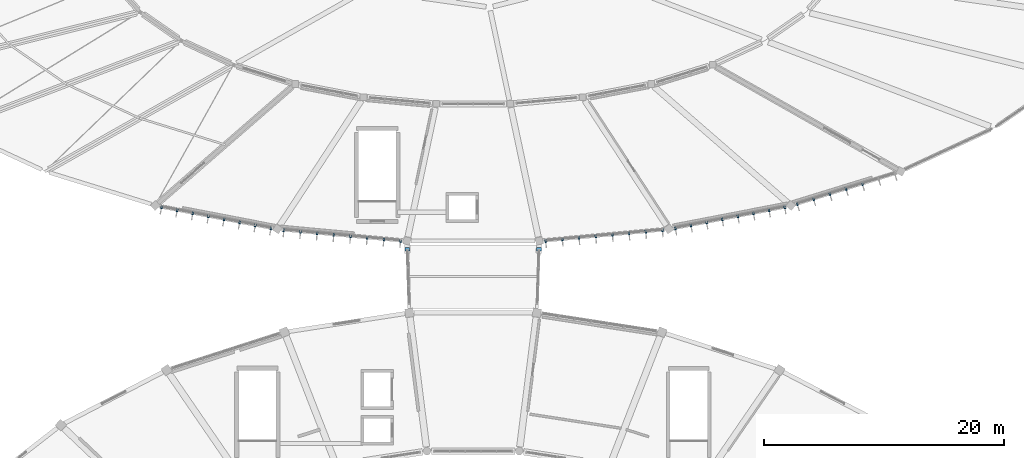
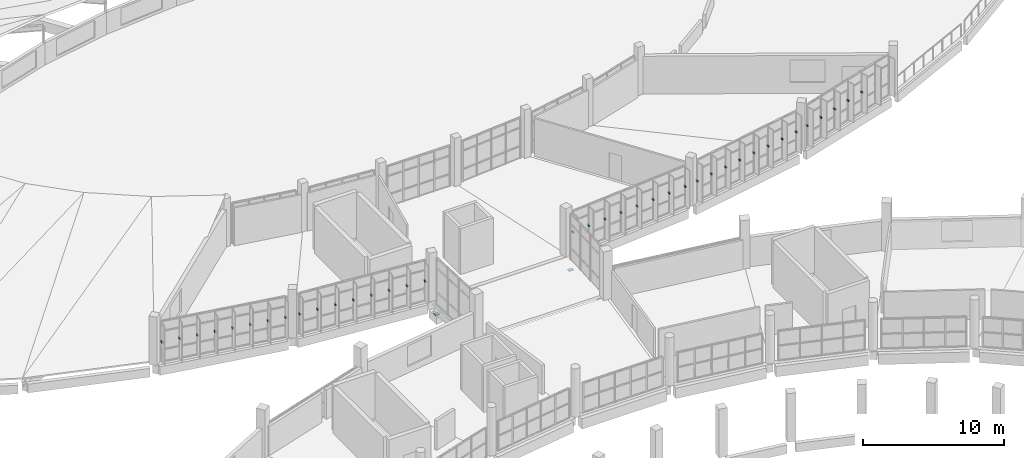
# One storey, part 113 of 142: 39 discrete accessories.
"""IFC4 building model written with IfcOpenShell, lengths in metres."""

from ifc_helpers import new_model, si_unit, direction, frame, origin, origin_2d, place, context, subcontext, project, spatial, rectangle, extrude, material, type_object, element, save


model = new_model("IFC4")

# Units and contexts
model_context = context("Model", 3, precision=1e-05, world=origin(), true_north=direction((0.0, 1.0)))
body_context = subcontext(model_context, "Body", "Model", "MODEL_VIEW")
ifc_project = project(units=[si_unit("LENGTHUNIT", "METRE"), si_unit("AREAUNIT", "SQUARE_METRE"), si_unit("VOLUMEUNIT", "CUBIC_METRE"), si_unit("PLANEANGLEUNIT", "RADIAN"), si_unit("MASSUNIT", "GRAM", prefix="KILO")], contexts=[model_context])

# Site, building, storey
site_placement = place(None, origin())
site = spatial("IfcSite", under=ifc_project, at=site_placement, CompositionType="ELEMENT")
building_placement = place(site_placement, origin())
building = spatial("IfcBuilding", under=site, at=building_placement, Name="Corvandel Quay Wholesale Market", CompositionType="ELEMENT")
storey_placement = place(building_placement, frame((0.0, 0.0, 10.800048828125)))
storey = spatial("IfcBuildingStorey", under=building, at=storey_placement, Name="L02", CompositionType="ELEMENT", Elevation=10.800048828125)

# Discrete accessories
ifc_material_1 = material(Name="Austenitic stainless steel Grade 316", Category="steel")
discrete_accessory_type_1 = type_object("IfcDiscreteAccessoryType", Name="Stainless Solar Fin Fixing Bracket BRK01", PredefinedType="USERDEFINED", material=ifc_material_1)
for number, where, z_axis, x_axis, name in (
    (1, (87.992919921875, 92.798095703125, 1.68017578125), (0.0, 0.0, 1.0), (0.188924055984, 0.981991701121, 0.0), "Fin Bracket 0482"),
    (2, (89.29736328125, 92.547119140625, 1.68017578125), (0.0, 0.0, 1.0), (0.188924055984, 0.981991701121, 0.0), "Fin Bracket 0483"),
    (3, (90.601806640625, 92.29638671875, 1.68017578125), (0.0, 0.0, 1.0), (0.188924055984, 0.981991701121, 0.0), "Fin Bracket 0484"),
    (4, (91.906005859375, 92.04541015625, 1.68017578125), (0.0, 0.0, 1.0), (0.188924055984, 0.981991701121, 0.0), "Fin Bracket 0485"),
    (5, (93.210205078125, 91.794677734375, 1.68017578125), (0.0, 0.0, 1.0), (0.188924055984, 0.981991701121, 0.0), "Fin Bracket 0486"),
    (6, (94.5146484375, 91.543701171875, 1.68017578125), (0.0, 0.0, 1.0), (0.188924055984, 0.981991701121, 0.0), "Fin Bracket 0487"),
    (7, (95.819091796875, 91.29296875, 1.68017578125), (0.0, 0.0, 1.0), (0.188924055984, 0.981991701121, 0.0), "Fin Bracket 0488"),
    (8, (97.123291015625, 91.0419921875, 1.68017578125), (0.0, 0.0, 1.0), (0.188924055984, 0.981991701121, 0.0), "Fin Bracket 0489"),
    (9, (98.197265625, 90.8896484375, 1.68017578125), (0.0, 0.0, 1.0), (0.092023008338, 0.995756880939, 0.0), "Fin Bracket 0500"),
    (10, (99.589111328125, 90.760986328125, 1.68017578125), (0.0, 0.0, 1.0), (0.092023008338, 0.995756880939, 0.0), "Fin Bracket 0501"),
    (11, (100.981201171875, 90.632568359375, 1.68017578125), (0.0, 0.0, 1.0), (0.092023008338, 0.995756880939, 0.0), "Fin Bracket 0502"),
    (12, (102.373046875, 90.50390625, 1.68017578125), (0.0, 0.0, 1.0), (0.092023008338, 0.995756880939, 0.0), "Fin Bracket 0503"),
    (13, (103.764892578125, 90.37548828125, 1.68017578125), (0.0, 0.0, 1.0), (0.092023008338, 0.995756880939, 0.0), "Fin Bracket 0504"),
    (14, (105.156982421875, 90.2470703125, 1.68017578125), (0.0, 0.0, 1.0), (0.092023008338, 0.995756880939, 0.0), "Fin Bracket 0505"),
    (15, (106.548828125, 90.118408203125, 1.68017578125), (0.0, 0.0, 1.0), (0.092023008338, 0.995756880939, 0.0), "Fin Bracket 0506"),
    (16, (107.94091796875, 89.989990234375, 1.68017578125), (0.0, 0.0, 1.0), (0.092023008338, 0.995756880939, 0.0), "Fin Bracket 0507"),
    (17, (120.05908203125, 89.989990234375, 1.68017578125), (0.0, 0.0, 1.0), (-0.092023008338, 0.995756880939, 0.0), "Fin Bracket 0522"),
    (18, (121.451171875, 90.118408203125, 1.68017578125), (0.0, 0.0, 1.0), (-0.092023008338, 0.995756880939, 0.0), "Fin Bracket 0523"),
    (19, (122.843017578125, 90.2470703125, 1.68017578125), (0.0, 0.0, 1.0), (-0.092023008338, 0.995756880939, 0.0), "Fin Bracket 0524"),
    (20, (124.235107421875, 90.37548828125, 1.68017578125), (0.0, 0.0, 1.0), (-0.092023008338, 0.995756880939, 0.0), "Fin Bracket 0525"),
    (21, (125.626953125, 90.50390625, 1.68017578125), (0.0, 0.0, 1.0), (-0.092023008338, 0.995756880939, 0.0), "Fin Bracket 0526"),
    (22, (127.018798828125, 90.632568359375, 1.68017578125), (0.0, 0.0, 1.0), (-0.092023008338, 0.995756880939, 0.0), "Fin Bracket 0527"),
    (23, (128.410888671875, 90.760986328125, 1.68017578125), (0.0, 0.0, 1.0), (-0.092023008338, 0.995756880939, 0.0), "Fin Bracket 0528"),
    (24, (129.802734375, 90.8896484375, 1.68017578125), (0.0, 0.0, 1.0), (-0.092023008338, 0.995756880939, 0.0), "Fin Bracket 0529"),
    (25, (130.876708984375, 91.0419921875, 1.68017578125), (0.0, 0.0, 1.0), (-0.188924055984, 0.981991701121, 0.0), "Fin Bracket 0537"),
    (26, (132.180908203125, 91.29296875, 1.68017578125), (0.0, 0.0, 1.0), (-0.188924055984, 0.981991701121, 0.0), "Fin Bracket 0538"),
    (27, (133.4853515625, 91.543701171875, 1.68017578125), (0.0, 0.0, 1.0), (-0.188924055984, 0.981991701121, 0.0), "Fin Bracket 0539"),
    (28, (134.789794921875, 91.794677734375, 1.68017578125), (0.0, 0.0, 1.0), (-0.188924055984, 0.981991701121, 0.0), "Fin Bracket 0540"),
    (29, (136.093994140625, 92.04541015625, 1.68017578125), (0.0, 0.0, 1.0), (-0.188924055984, 0.981991701121, 0.0), "Fin Bracket 0541"),
    (30, (137.398193359375, 92.29638671875, 1.68017578125), (0.0, 0.0, 1.0), (-0.188924055984, 0.981991701121, 0.0), "Fin Bracket 0542"),
    (31, (138.70263671875, 92.547119140625, 1.68017578125), (0.0, 0.0, 1.0), (-0.188924055984, 0.981991701121, 0.0), "Fin Bracket 0543"),
    (32, (140.007080078125, 92.798095703125, 1.68017578125), (0.0, 0.0, 1.0), (-0.188924055984, 0.981991701121, 0.0), "Fin Bracket 0544"),
    (33, (141.0595703125, 93.061767578125, 1.68017578125), (0.0, 0.0, 1.0), (-0.296208192067, 0.955123398809, 0.0), "Fin Bracket 0554"),
    (34, (142.416259765625, 93.482421875, 1.68017578125), (0.0, 0.0, 1.0), (-0.296208192067, 0.955123398809, 0.0), "Fin Bracket 0555"),
    (35, (143.77294921875, 93.9033203125, 1.68017578125), (0.0, 0.0, 1.0), (-0.296208192067, 0.955123398809, 0.0), "Fin Bracket 0556"),
    (36, (145.1298828125, 94.32421875, 1.68017578125), (0.0, 0.0, 1.0), (-0.296208192067, 0.955123398809, 0.0), "Fin Bracket 0557"),
    (37, (146.486572265625, 94.7451171875, 1.68017578125), (0.0, 0.0, 1.0), (-0.296208192067, 0.955123398809, 0.0), "Fin Bracket 0558"),
):
    element("IfcDiscreteAccessory", number, at=place(storey_placement, frame(where, z_axis=z_axis, x_axis=x_axis)), inside=storey, type_object=discrete_accessory_type_1, Name=name, ObjectType="BRACKET", PredefinedType="USERDEFINED", context=body_context, shape_type="SweptSolid", body=[
        extrude(rectangle(XDim=0.239990234375, YDim=0.1201171875, at=origin_2d()), origin(), (0.0, 0.0, 1.0), 0.139892578125),
    ])
ifc_material_2 = material(Name="PTFE elastomeric bearing assembly")
discrete_accessory_type_2 = type_object("IfcDiscreteAccessoryType", Name="Unguided Bi-Directional PTFE Sliding Bearing SBG01", PredefinedType="USERDEFINED", material=ifc_material_2)
for number, where, z_axis, x_axis, name in (
    (38, (108.506591796875, 89.310302734375, -0.943115234375), (0.0, 0.0, 1.0), (-0.032806302436, 0.999461728392, 0.0), "PTFE Sliding Bearing SBG-003"),
    (39, (119.493408203125, 89.310302734375, -0.943115234375), (0.0, 0.0, 1.0), (0.032806302436, 0.999461728392, 0.0), "PTFE Sliding Bearing SBG-004"),
):
    element("IfcDiscreteAccessory", number, at=place(storey_placement, frame(where, z_axis=z_axis, x_axis=x_axis)), inside=storey, type_object=discrete_accessory_type_2, Name=name, ObjectType="SLIDING BEARING", PredefinedType="USERDEFINED", context=body_context, shape_type="SweptSolid", body=[
        extrude(rectangle(XDim=0.300048828125, YDim=0.39990234375, at=origin_2d()), origin(), (0.0, 0.0, 1.0), 0.0400390625),
    ])

save(model, "model.ifc")
